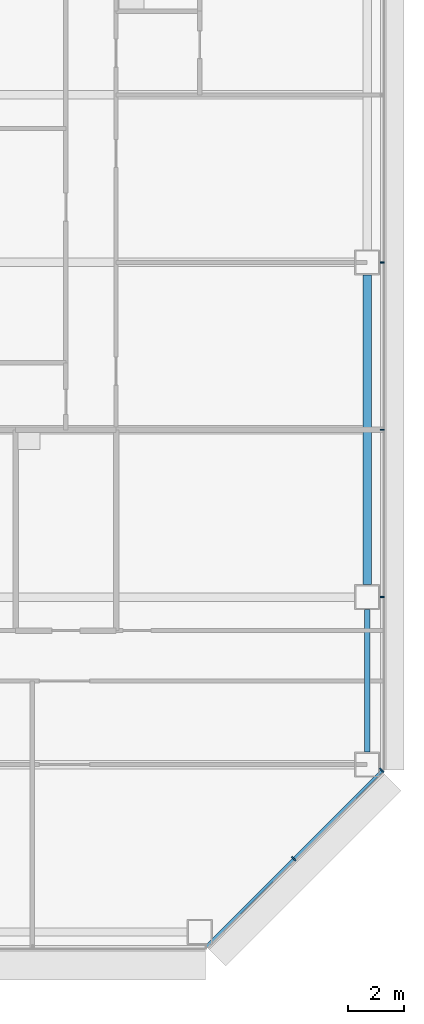
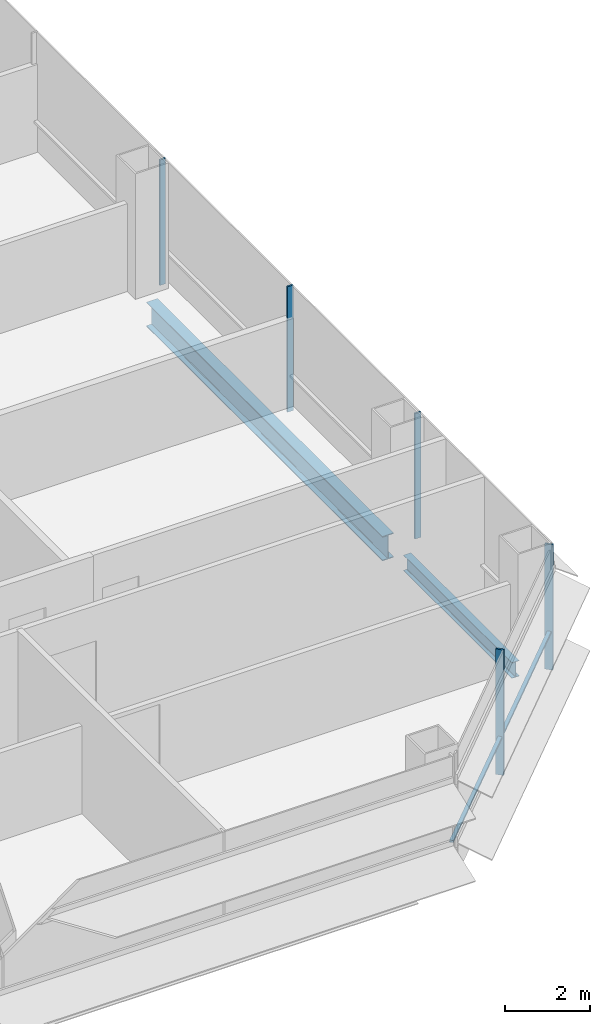
# One storey, part 16 of 27: 6 members, 2 beams, 2 elements without a shape of their own.
"""IFC4 building model written with IfcOpenShell, lengths in metres."""

from ifc_helpers import new_model, si_unit, direction, frame, origin, origin_2d, place, context, subcontext, project, spatial, rectangle, i_section, extrude, material, material_profile, profile_set, type_object, element, aggregate, save


model = new_model("IFC4")

# Units and contexts
model_context = context("Model", 3, precision=1e-05, world=origin(), true_north=direction((0.0, 1.0)))
body_context = subcontext(model_context, "Body", "Model", "MODEL_VIEW")
ifc_project = project(units=[si_unit("LENGTHUNIT", "METRE"), si_unit("AREAUNIT", "SQUARE_METRE"), si_unit("VOLUMEUNIT", "CUBIC_METRE"), si_unit("PLANEANGLEUNIT", "RADIAN"), si_unit("MASSUNIT", "GRAM", prefix="KILO")], contexts=[model_context])

# Site, building, storey
site_placement = place(None, origin())
site = spatial("IfcSite", under=ifc_project, at=site_placement, CompositionType="ELEMENT")
building_placement = place(site_placement, origin())
building = spatial("IfcBuilding", under=site, at=building_placement, Name="Sorahane Residences", CompositionType="ELEMENT")
storey_placement = place(building_placement, frame((0.0, 0.0, 82.199951171875)))
storey = spatial("IfcBuildingStorey", under=building, at=storey_placement, Name="L17", CompositionType="ELEMENT", Elevation=82.199951171875)

# Curtain wall, members
ifc_material_1 = material(Name="Dark low-e glass and black anodised aluminium", Category="aluminium")
curtain_wall_type_1 = type_object("IfcCurtainWallType", Name="Curtain wall CW-1 Typical unitised wall", PredefinedType="NOTDEFINED", material=ifc_material_1)
curtain_wall_1_placement = place(storey_placement, origin())
curtain_wall_1 = element("IfcCurtainWall", 1, at=curtain_wall_1_placement, inside=storey, type_object=curtain_wall_type_1, Name="CW-1 curtain wall L17 E2", PredefinedType="NOTDEFINED")
ifc_material_2 = material(Name="Black anodised aluminium", Category="aluminium")
ifc_material_profile_1 = material_profile(ifc_material_2, rectangle(XDim=0.159912109375, YDim=0.050048828125, at=origin_2d()), Name="Curtain wall mullion CW-1 black anodised aluminium 50x160")
ifc_profile_set_1 = profile_set([ifc_material_profile_1], Name="Black anodised aluminium")
member_type_1 = type_object("IfcMemberType", Name="Curtain wall mullion CW-1 black anodised aluminium 50x160", PredefinedType="MULLION", material=ifc_profile_set_1)
member_1_placement = place(storey_placement, frame((66.5400390625, 12.0, -0.179931640625), z_axis=(0.0, 0.0, 1.0), x_axis=(1.0, 0.0, 0.0)))
member_1 = element("IfcMember", 2, at=member_1_placement, type_object=member_type_1, Name="CW-1 mullion L17 E2.2", PredefinedType="MULLION", context=body_context, shape_type="SweptSolid", body=[
    extrude(rectangle(XDim=0.159912109375, YDim=0.050048828125, at=origin_2d()), origin(), (0.0, 0.0, 1.0), 3.60009765625),
])
member_2_placement = place(storey_placement, frame((66.5400390625, 18.0, -0.179931640625), z_axis=(0.0, 0.0, 1.0), x_axis=(1.0, 0.0, 0.0)))
member_2 = element("IfcMember", 3, at=member_2_placement, type_object=member_type_1, Name="CW-1 mullion L17 E2.3", PredefinedType="MULLION", context=body_context, shape_type="SweptSolid", body=[
    extrude(rectangle(XDim=0.159912109375, YDim=0.050048828125, at=origin_2d()), origin(), (0.0, 0.0, 1.0), 3.60009765625),
])
member_3_placement = place(storey_placement, frame((66.5400390625, 24.0, -0.179931640625), z_axis=(0.0, 0.0, 1.0), x_axis=(1.0, 0.0, 0.0)))
member_3 = element("IfcMember", 4, at=member_3_placement, type_object=member_type_1, Name="CW-1 mullion L17 E2.4", PredefinedType="MULLION", context=body_context, shape_type="SweptSolid", body=[
    extrude(rectangle(XDim=0.159912109375, YDim=0.050048828125, at=origin_2d()), origin(), (0.0, 0.0, 1.0), 3.60009765625),
])
aggregate(curtain_wall_1, [member_1, member_2, member_3])

ifc_material_3 = material(Name="Dark low-e glass and black anodised aluminium", Category="aluminium")
curtain_wall_type_2 = type_object("IfcCurtainWallType", Name="Curtain wall CW-2 Chamfer unitised wall", PredefinedType="NOTDEFINED", material=ifc_material_3)
curtain_wall_2_placement = place(storey_placement, origin())
curtain_wall_2 = element("IfcCurtainWall", 5, at=curtain_wall_2_placement, inside=storey, type_object=curtain_wall_type_2, Name="CW-2 curtain wall L17 SE1", PredefinedType="NOTDEFINED")
ifc_material_4 = material(Name="Black anodised aluminium", Category="aluminium")
ifc_material_profile_2 = material_profile(ifc_material_4, rectangle(XDim=0.199951171875, YDim=0.050048828125, at=origin_2d()), Name="Curtain wall mullion CW-2 black anodised aluminium 50x200")
ifc_profile_set_2 = profile_set([ifc_material_profile_2], Name="Black anodised aluminium")
member_type_2 = type_object("IfcMemberType", Name="Curtain wall mullion CW-2 black anodised aluminium 50x200", PredefinedType="MULLION", material=ifc_profile_set_2)
member_4_placement = place(storey_placement, frame((63.36767578125, 2.63232421875, -0.179931640625), z_axis=(0.0, 0.0, 1.0), x_axis=(0.707106781187, -0.707106781187, 0.0)))
member_4 = element("IfcMember", 6, at=member_4_placement, type_object=member_type_2, Name="CW-2 mullion L17 SE1.2", PredefinedType="MULLION", context=body_context, shape_type="SweptSolid", body=[
    extrude(rectangle(XDim=0.199951171875, YDim=0.050048828125, at=origin_2d()), origin(), (0.0, 0.0, 1.0), 3.60009765625),
])
member_5_placement = place(storey_placement, frame((66.525634765625, 5.790283203125, -0.179931640625), z_axis=(0.0, 0.0, 1.0), x_axis=(0.707106781187, -0.707106781187, 0.0)))
member_5 = element("IfcMember", 7, at=member_5_placement, type_object=member_type_2, Name="CW-2 mullion L17 SE1.3", PredefinedType="MULLION", context=body_context, shape_type="SweptSolid", body=[
    extrude(rectangle(XDim=0.199951171875, YDim=0.050048828125, at=origin_2d()), origin(), (0.0, 0.0, 1.0), 3.60009765625),
])
ifc_material_5 = material(Name="Black anodised aluminium", Category="aluminium")
ifc_material_profile_3 = material_profile(ifc_material_5, rectangle(XDim=0.10009765625, YDim=0.06005859375, at=origin_2d()), Name="Curtain wall transom CW-2 black anodised aluminium 60x100")
ifc_profile_set_3 = profile_set([ifc_material_profile_3], Name="Black anodised aluminium")
member_type_3 = type_object("IfcMemberType", Name="Curtain wall transom CW-2 black anodised aluminium 60x100", PredefinedType="USERDEFINED", material=ifc_profile_set_3)
member_6_placement = place(storey_placement, frame((60.234375, -0.51513671875, 0.900146484375), z_axis=(0.707106781187, 0.707106781187, 0.0), x_axis=(-0.707106781187, 0.707106781187, 0.0)))
member_6 = element("IfcMember", 8, at=member_6_placement, type_object=member_type_3, Name="CW-2 transom L17 SE1", ObjectType="TRANSOM", PredefinedType="USERDEFINED", context=body_context, shape_type="SweptSolid", body=[
    extrude(rectangle(XDim=0.10009765625, YDim=0.06005859375, at=origin_2d()), origin(), (0.0, 0.0, 1.0), 8.88232421875),
])
aggregate(curtain_wall_2, [member_4, member_5, member_6])

# Beams
ifc_material_6 = material(Name="Steel Q355B", Category="steel")
ifc_material_profile_4 = material_profile(ifc_material_6, i_section(OverallWidth=0.199951171875, OverallDepth=0.449951171875, WebThickness=0.009033203125, FlangeThickness=0.013916015625, FilletRadius=0.02001953125, at=origin_2d()), Name="HN 450x200x9x14")
ifc_profile_set_4 = profile_set([ifc_material_profile_4], Name="Steel Q355B")
beam_type_1 = type_object("IfcBeamType", Name="Steel floor beam HN 450x200x9x14 Q355B", PredefinedType="BEAM", material=ifc_profile_set_4)
beam_1_placement = place(storey_placement, frame((66.0, 6.449951171875, -0.405029296875), z_axis=(0.0, 1.0, 0.0), x_axis=(-1.0, 0.0, 0.0)))
element("IfcBeam", 9, at=beam_1_placement, inside=storey, type_object=beam_type_1, Name="Beam L17 056", PredefinedType="BEAM", context=body_context, shape_type="SweptSolid", body=[
    extrude(i_section(OverallWidth=0.199951171875, OverallDepth=0.449951171875, WebThickness=0.009033203125, FlangeThickness=0.013916015625, FilletRadius=0.02001953125, at=origin_2d()), origin(), (0.0, 0.0, 1.0), 5.10009765625),
])
ifc_material_7 = material(Name="Steel Q355B", Category="steel")
ifc_material_profile_5 = material_profile(ifc_material_7, i_section(OverallWidth=0.300048828125, OverallDepth=0.699951171875, WebThickness=0.012939453125, FlangeThickness=0.02392578125, FilletRadius=0.028076171875, at=origin_2d()), Name="HN 700x300x13x24")
ifc_profile_set_5 = profile_set([ifc_material_profile_5], Name="Steel Q355B")
beam_type_2 = type_object("IfcBeamType", Name="Steel floor beam HN 700x300x13x24 Q355B", PredefinedType="BEAM", material=ifc_profile_set_5)
beam_2_placement = place(storey_placement, frame((66.0, 12.449951171875, -0.530029296875), z_axis=(0.0, 1.0, 0.0), x_axis=(-1.0, 0.0, 0.0)))
element("IfcBeam", 10, at=beam_2_placement, inside=storey, type_object=beam_type_2, Name="Beam L17 057", PredefinedType="BEAM", context=body_context, shape_type="SweptSolid", body=[
    extrude(i_section(OverallWidth=0.300048828125, OverallDepth=0.699951171875, WebThickness=0.012939453125, FlangeThickness=0.02392578125, FilletRadius=0.028076171875, at=origin_2d()), origin(), (0.0, 0.0, 1.0), 11.10009765625),
])

save(model, "model.ifc")
